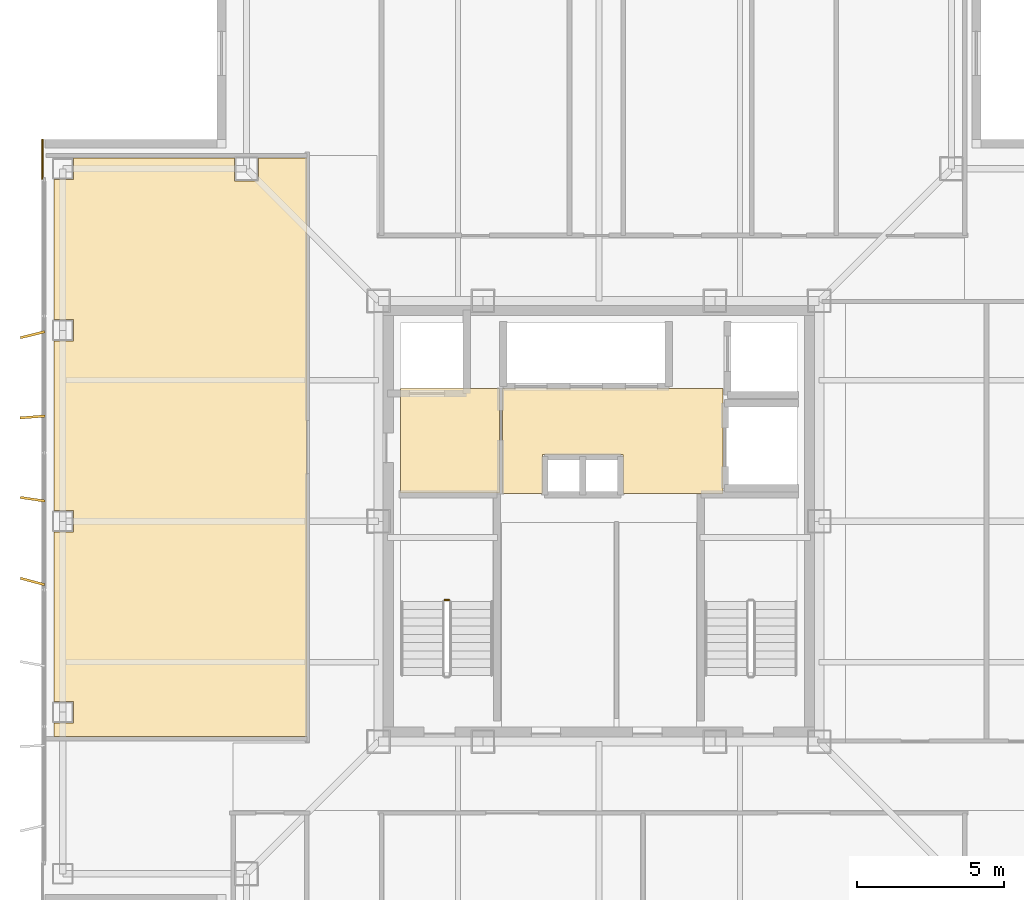
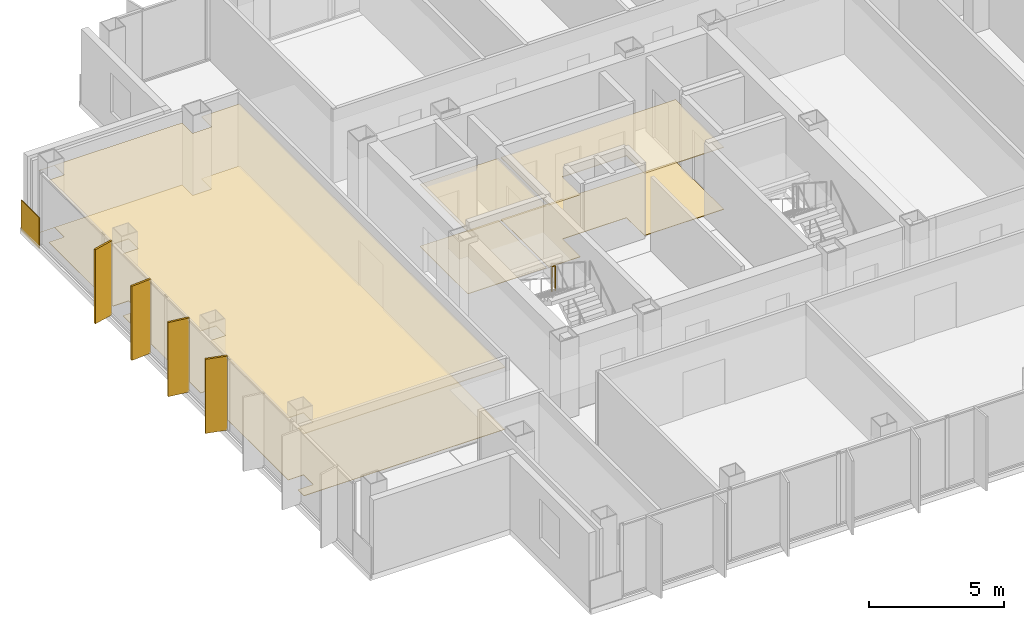
# One storey, part 12 of 15: 7 coverings, 4 shading devices, 1 railing.
"""IFC4 building model written with IfcOpenShell, lengths in metres."""

from ifc_helpers import new_model, si_unit, direction, frame, frame_2d, origin, origin_2d, place, context, subcontext, project, spatial, polyline, rectangle, circle, outline, extrude, material, layer, layer_set, type_object, element, save


model = new_model("IFC4")

# Units and contexts
model_context = context("Model", 3, precision=1e-05, world=origin(), true_north=direction((0.0, 1.0)))
body_context = subcontext(model_context, "Body", "Model", "MODEL_VIEW")
ifc_project = project(units=[si_unit("LENGTHUNIT", "METRE"), si_unit("AREAUNIT", "SQUARE_METRE"), si_unit("VOLUMEUNIT", "CUBIC_METRE"), si_unit("PLANEANGLEUNIT", "RADIAN"), si_unit("MASSUNIT", "GRAM", prefix="KILO")], contexts=[model_context])

# Site, building, storey
site_placement = place(None, origin())
site = spatial("IfcSite", under=ifc_project, at=site_placement, CompositionType="ELEMENT")
building_placement = place(site_placement, origin())
building = spatial("IfcBuilding", under=site, at=building_placement, Name="Trevonay Congress Spire", CompositionType="ELEMENT")
storey_placement = place(building_placement, frame((0.0, 0.0, 272.0)))
storey = spatial("IfcBuildingStorey", under=building, at=storey_placement, Name="L71", CompositionType="ELEMENT", Elevation=272.0)

# Coverings
ifc_material_1 = material(Name="Acoustic Mineral Fibre Board", Category="gypsum")
ifc_layer_1 = layer(ifc_material_1, 0.02490234375, Name="Acoustic Mineral Fibre Board")
ifc_layer_set_1 = layer_set([ifc_layer_1], Name="Acoustic Mineral Fibre Board")
covering_type_1 = type_object("IfcCoveringType", Name="COV-CEIL-ACOUSTIC", PredefinedType="CEILING", material=ifc_layer_set_1)
covering_1_placement = place(storey_placement, frame((0.0, 0.0, 2.81005859375)))
element("IfcCovering", 1, at=covering_1_placement, inside=storey, type_object=covering_type_1, Name="L71 Firefighting Lift Lobby West acoustic suspended ceiling", PredefinedType="CEILING", context=body_context, shape_type="SweptSolid", body=[
    extrude(outline(polyline([(-6.75, 0.9599609375), (-3.3798828125, 0.9599609375), (-3.3798828125, 4.52001953125), (-6.75, 4.52001953125), (-6.75, 0.9599609375)])), origin(), (0.0, 0.0, 1.0), 0.02490234375),
])
covering_2_placement = place(storey_placement, frame((0.0, 0.0, 2.81005859375)))
element("IfcCovering", 2, at=covering_2_placement, inside=storey, type_object=covering_type_1, Name="L71 Central and High-Rise Passenger Lift Lobby acoustic suspended ceiling", PredefinedType="CEILING", context=body_context, shape_type="SweptSolid", body=[
    extrude(outline(polyline([(-3.280029296875, 0.949951171875), (-1.919921875, 0.949951171875), (-1.919921875, 2.280029296875), (0.820068359375, 2.280029296875), (0.820068359375, 0.949951171875), (4.219970703125, 0.949951171875), (4.219970703125, 4.52001953125), (-3.280029296875, 4.52001953125), (-3.280029296875, 0.949951171875)])), origin(), (0.0, 0.0, 1.0), 0.02490234375),
])
covering_3_placement = place(storey_placement, frame((0.0, 0.0, 2.81005859375)))
element("IfcCovering", 3, at=covering_3_placement, inside=storey, type_object=covering_type_1, Name="L71 Oceanographic Cartography Reading Lounge acoustic suspended ceiling", PredefinedType="CEILING", context=body_context, shape_type="SweptSolid", body=[
    extrude(outline(polyline([(-9.929931640625, 12.3701171875), (-9.929931640625, -7.320068359375), (-18.550048828125, -7.320068359375), (-18.550048828125, -6.860107421875), (-17.889892578125, -6.860107421875), (-17.889892578125, -6.139892578125), (-18.550048828125, -6.139892578125), (-18.550048828125, -0.360107421875), (-17.889892578125, -0.360107421875), (-17.889892578125, 0.360107421875), (-18.550048828125, 0.360107421875), (-18.550048828125, 6.139892578125), (-17.889892578125, 6.139892578125), (-17.889892578125, 6.860107421875), (-18.550048828125, 6.860107421875), (-18.550048828125, 11.639892578125), (-17.889892578125, 11.639892578125), (-17.889892578125, 12.360107421875), (-18.550048828125, 12.360107421875), (-18.550048828125, 12.3701171875), (-12.409912109375, 12.3701171875), (-12.409912109375, 11.590087890625), (-11.590087890625, 11.590087890625), (-11.590087890625, 12.3701171875), (-9.929931640625, 12.3701171875)])), origin(), (0.0, 0.0, 1.0), 0.02490234375),
])
ifc_material_2 = material(Name="Polished Granite Floor Tile", Category="masonry")
ifc_layer_2 = layer(ifc_material_2, 0.02001953125, Name="Polished Granite Floor Tile")
ifc_layer_set_2 = layer_set([ifc_layer_2], Name="Polished Granite Floor Tile")
covering_type_2 = type_object("IfcCoveringType", Name="COV-FLOOR-STONE", PredefinedType="FLOORING", material=ifc_layer_set_2)
covering_4_placement = place(storey_placement, origin())
element("IfcCovering", 4, at=covering_4_placement, inside=storey, type_object=covering_type_2, Name="L71 Firefighting Lift Lobby West floor finish", PredefinedType="FLOORING", context=body_context, shape_type="SweptSolid", body=[
    extrude(outline(polyline([(-6.75, 0.9599609375), (-3.3798828125, 0.9599609375), (-3.3798828125, 4.52001953125), (-6.75, 4.52001953125), (-6.75, 0.9599609375)])), origin(), (0.0, 0.0, 1.0), 0.02001953125),
])
covering_5_placement = place(storey_placement, origin())
element("IfcCovering", 5, at=covering_5_placement, inside=storey, type_object=covering_type_2, Name="L71 Central and High-Rise Passenger Lift Lobby floor finish", PredefinedType="FLOORING", context=body_context, shape_type="SweptSolid", body=[
    extrude(outline(polyline([(-3.280029296875, 0.949951171875), (-1.919921875, 0.949951171875), (-1.919921875, 2.280029296875), (0.820068359375, 2.280029296875), (0.820068359375, 0.949951171875), (4.219970703125, 0.949951171875), (4.219970703125, 4.52001953125), (-3.280029296875, 4.52001953125), (-3.280029296875, 0.949951171875)])), origin(), (0.0, 0.0, 1.0), 0.02001953125),
])
ifc_material_3 = material(Name="Engineered Oak Flooring", Category="wood")
ifc_layer_3 = layer(ifc_material_3, 0.01806640625, Name="Engineered Oak Flooring")
ifc_layer_set_3 = layer_set([ifc_layer_3], Name="Engineered Oak Flooring")
covering_type_3 = type_object("IfcCoveringType", Name="COV-FLOOR-TIMBER", PredefinedType="FLOORING", material=ifc_layer_set_3)
covering_6_placement = place(storey_placement, origin())
element("IfcCovering", 6, at=covering_6_placement, inside=storey, type_object=covering_type_3, Name="L71 Oceanographic Cartography Reading Lounge floor finish", PredefinedType="FLOORING", context=body_context, shape_type="SweptSolid", body=[
    extrude(outline(polyline([(-9.929931640625, 12.3701171875), (-9.929931640625, -7.320068359375), (-18.550048828125, -7.320068359375), (-18.550048828125, -6.860107421875), (-17.889892578125, -6.860107421875), (-17.889892578125, -6.139892578125), (-18.550048828125, -6.139892578125), (-18.550048828125, -0.360107421875), (-17.889892578125, -0.360107421875), (-17.889892578125, 0.360107421875), (-18.550048828125, 0.360107421875), (-18.550048828125, 6.139892578125), (-17.889892578125, 6.139892578125), (-17.889892578125, 6.860107421875), (-18.550048828125, 6.860107421875), (-18.550048828125, 11.639892578125), (-17.889892578125, 11.639892578125), (-17.889892578125, 12.360107421875), (-18.550048828125, 12.360107421875), (-18.550048828125, 12.3701171875), (-12.409912109375, 12.3701171875), (-12.409912109375, 11.590087890625), (-11.590087890625, 11.590087890625), (-11.590087890625, 12.3701171875), (-9.929931640625, 12.3701171875)])), origin(), (0.0, 0.0, 1.0), 0.01806640625),
])
ifc_material_4 = material(Name="Pale Anodised Aluminium EN AW-6063-T6", Category="aluminium")
ifc_layer_4 = layer(ifc_material_4, 0.0400390625, Name="Pale Anodised Aluminium EN AW-6063-T6")
ifc_layer_set_4 = layer_set([ifc_layer_4], Name="Pale Anodised Aluminium EN AW-6063-T6")
covering_type_4 = type_object("IfcCoveringType", Name="COV-SPANDREL-PALE-METAL", PredefinedType="CLADDING", material=ifc_layer_set_4)
covering_7_placement = place(storey_placement, frame((-18.93994140625, 11.64990234375, -0.14990234375), z_axis=(0.0, 0.0, 1.0), x_axis=(0.0, 1.0, 0.0)))
element("IfcCovering", 7, at=covering_7_placement, inside=storey, type_object=covering_type_4, Name="L71 NW corner pier spandrel cladding 1", PredefinedType="CLADDING", context=body_context, shape_type="SweptSolid", body=[
    extrude(rectangle(XDim=1.35009765625, YDim=0.0400390625, at=frame_2d((0.675048828125, 0.0))), origin(), (0.0, 0.0, 1.0), 1.39990234375),
])

# Railing
railing_type = type_object("IfcRailingType", Name="RAL-STAIR-GUARD-110", PredefinedType="GUARDRAIL", material=ifc_material_4)
railing_placement = place(storey_placement, frame((-5.10009765625, -2.679931640625, 1.800048828125)))
element("IfcRailing", 8, at=railing_placement, inside=storey, type_object=railing_type, Name="L71 ST-1 stair guard 2", PredefinedType="GUARDRAIL", context=body_context, shape_type="SweptSolid", body=[
    extrude(circle(Radius=0.02392578125, at=origin_2d()), frame((0.0, 0.0, 1.1259765625), z_axis=(-1.0, 0.0, 0.0), x_axis=(0.0, -1.0, 0.0)), (0.0, 0.0, 1.0), 0.14990234375),
    extrude(circle(Radius=0.02099609375, at=origin_2d()), origin(), (0.0, 0.0, 1.0), 1.101806640625),
    extrude(circle(Radius=0.02099609375, at=origin_2d()), frame((-0.14990234375, 0.0, 0.0)), (0.0, 0.0, 1.0), 1.101806640625),
])

# Shading devices
shading_device_type = type_object("IfcShadingDeviceType", Name="SHD-FIN-Z4-PALE-METAL", PredefinedType="USERDEFINED", material=ifc_material_4)
for number, where, z_axis, x_axis, name in (
    (9, (-19.280029296875, -2.050048828125, 0.0), (0.0, 0.0, 1.0), (0.258144638645, 0.966106280664, 0.0), "L71 W vertical pale-metal solar fin 4"),
    (10, (-19.280029296875, 0.75, 0.0), (0.0, 0.0, 1.0), (0.146946275799, 0.989144474801, 0.0), "L71 W vertical pale-metal solar fin 5"),
    (11, (-19.280029296875, 3.550048828125, 0.0), (0.0, 0.0, 1.0), (-0.077067060513, 0.997025911491, 0.0), "L71 W vertical pale-metal solar fin 6"),
    (12, (-19.280029296875, 6.35009765625, 0.0), (0.0, 0.0, 1.0), (-0.241244442494, 0.970464383152, 0.0), "L71 W vertical pale-metal solar fin 7"),
):
    element("IfcShadingDevice", number, at=place(storey_placement, frame(where, z_axis=z_axis, x_axis=x_axis)), inside=storey, type_object=shading_device_type, Name=name, ObjectType="SOLAR FIN", PredefinedType="USERDEFINED", context=body_context, shape_type="SweptSolid", body=[
        extrude(rectangle(XDim=0.080078125, YDim=0.85009765625, at=origin_2d()), origin(), (0.0, 0.0, 1.0), 3.360107421875),
    ])

save(model, "model.ifc")
